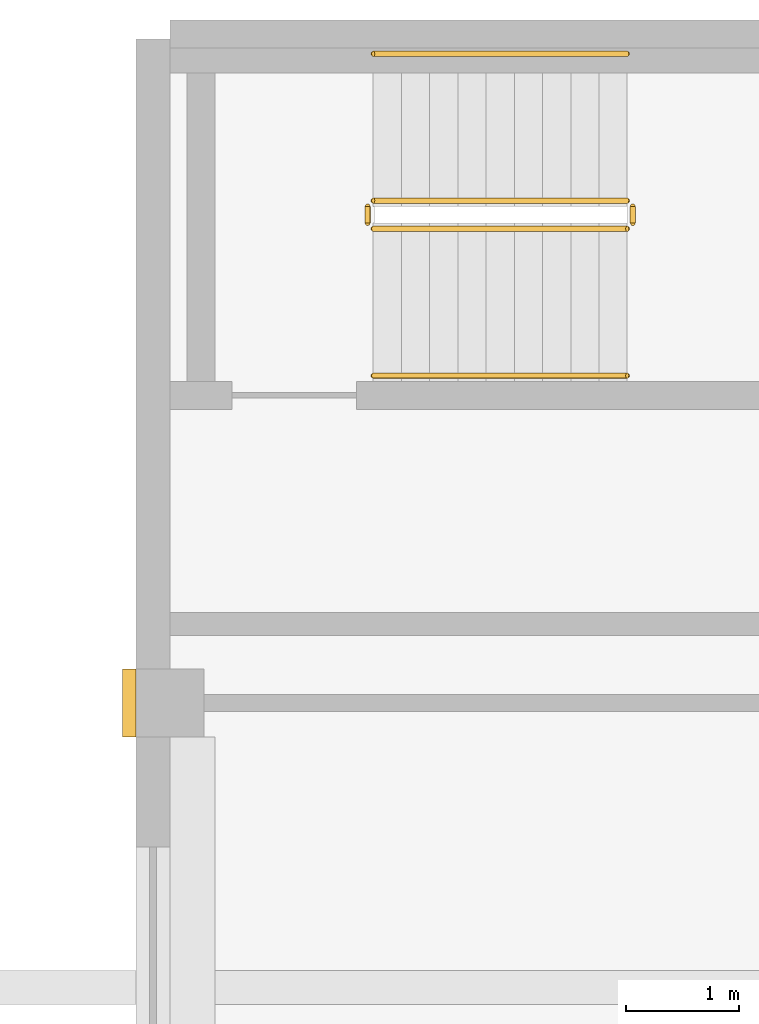
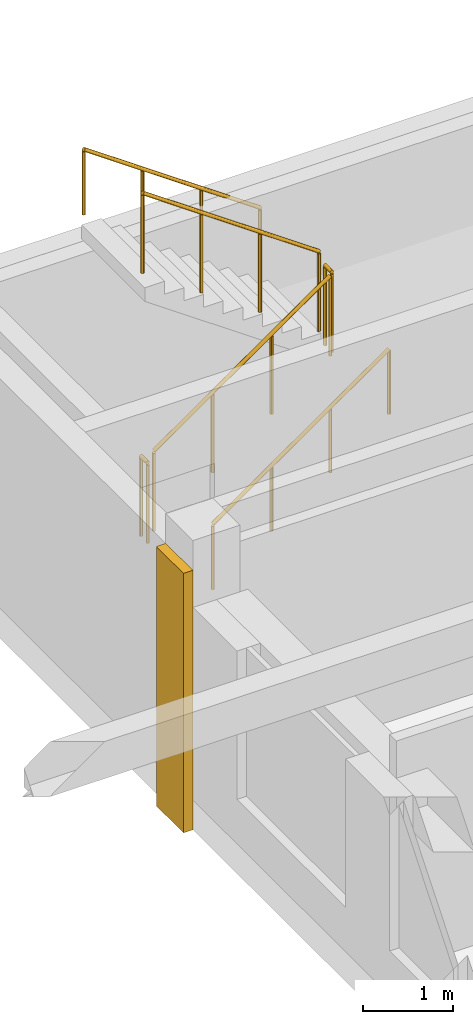
# One storey, part 8 of 8: 6 railings, 1 covering.
"""IFC4 building model written with IfcOpenShell, lengths in metres."""

from ifc_helpers import new_model, si_unit, direction, frame, origin, origin_2d, place, context, subcontext, project, spatial, rectangle, circle, extrude, source, transform, mapped, material, type_object, element, save


model = new_model("IFC4")

# Units and contexts
model_context = context("Model", 3, precision=1e-05, world=origin(), true_north=direction((0.0, 1.0)))
body_context = subcontext(model_context, "Body", "Model", "MODEL_VIEW")
ifc_project = project(units=[si_unit("LENGTHUNIT", "METRE"), si_unit("AREAUNIT", "SQUARE_METRE"), si_unit("VOLUMEUNIT", "CUBIC_METRE"), si_unit("PLANEANGLEUNIT", "RADIAN"), si_unit("MASSUNIT", "GRAM", prefix="KILO")], contexts=[model_context])

# Site, building, storey
site_placement = place(None, origin())
site = spatial("IfcSite", under=ifc_project, at=site_placement, CompositionType="ELEMENT")
building_placement = place(site_placement, origin())
building = spatial("IfcBuilding", under=site, at=building_placement, Name="Aurelian Terraces", CompositionType="ELEMENT")
storey_placement = place(building_placement, frame((0.0, 0.0, 344.0)))
storey = spatial("IfcBuildingStorey", under=building, at=storey_placement, Name="L81", CompositionType="ELEMENT", Elevation=344.0)

# Covering
ifc_material_1 = material(Name="Terracotta rainscreen cladding relief", Category="masonry")
covering_type = type_object("IfcCoveringType", Name="BAGUETTE-TC", PredefinedType="CLADDING", material=ifc_material_1)
shared_shape_1 = source(origin(), body_context, "Body", "SweptSolid", [
    extrude(rectangle(XDim=0.12, YDim=0.6, at=origin_2d()), origin(), (0.0, 0.0, 1.0), 3.5),
])
covering_placement = place(storey_placement, frame((10.44, 37.8, -0.4), z_axis=(0.0, 0.0, 1.0), x_axis=(1.0, 0.0, 0.0)))
element("IfcCovering", 1, at=covering_placement, inside=storey, type_object=covering_type, Name="BAGUETTE pier L81 5", PredefinedType="CLADDING", context=body_context, shape_type="MappedRepresentation", body=[
    mapped(shared_shape_1, transform((0.0, 0.0, 0.0), scale=1.0)),
])

# Railings
ifc_material_2 = material(Name="Stainless steel", Category="steel")
railing_type_1 = type_object("IfcRailingType", Name="Stair guard 1100", PredefinedType="GUARDRAIL", material=ifc_material_2)
shared_shape_2 = source(origin(), body_context, "Body", "SweptSolid", [
    extrude(circle(Radius=0.024, at=origin_2d()), frame((0.0, 0.0, 1.076), z_axis=(0.0, 1.0, 0.0), x_axis=(-1.0, 0.0, 0.0)), (0.0, 0.0, 1.0), 0.15),
    extrude(circle(Radius=0.021, at=origin_2d()), origin(), (0.0, 0.0, 1.0), 1.052),
    extrude(circle(Radius=0.021, at=origin_2d()), frame((0.0, 0.15, 0.0)), (0.0, 0.0, 1.0), 1.052),
])
for number, where, name in (
    (2, (14.9, 42.05, 1.75), "L81 S3U stair guard 2"),
    (3, (12.55, 42.05, 0.0), "L81 S3U stair guard 4"),
):
    element("IfcRailing", number, at=place(storey_placement, frame(where)), inside=storey, type_object=railing_type_1, Name=name, PredefinedType="GUARDRAIL", context=body_context, shape_type="MappedRepresentation", body=[
        mapped(shared_shape_2, transform((0.0, 0.0, 0.0), scale=1.0)),
    ])
shared_shape_3 = source(origin(), body_context, "Body", "SweptSolid", [
    extrude(circle(Radius=0.024, at=origin_2d()), frame((0.0, 0.0, 1.076), z_axis=(0.819231920519, 0.0, 0.573462344363), x_axis=(0.0, 1.0, 0.0)), (0.0, 0.0, 1.0), 2.7465),
    extrude(circle(Radius=0.021, at=origin_2d()), origin(), (0.0, 0.0, 1.0), 1.052),
    extrude(circle(Radius=0.021, at=origin_2d()), frame((0.75, 0.0, 0.525)), (0.0, 0.0, 1.0), 1.052),
    extrude(circle(Radius=0.021, at=origin_2d()), frame((1.5, 0.0, 1.05)), (0.0, 0.0, 1.0), 1.052),
    extrude(circle(Radius=0.021, at=origin_2d()), frame((2.25, 0.0, 1.575)), (0.0, 0.0, 1.0), 1.052),
])
railing_1_placement = place(storey_placement, frame((12.6, 42.0, 0.175)))
element("IfcRailing", 4, at=railing_1_placement, inside=storey, type_object=railing_type_1, Name="L81 S3U stair guard 1", PredefinedType="GUARDRAIL", context=body_context, shape_type="MappedRepresentation", body=[
    mapped(shared_shape_3, transform((0.0, 0.0, 0.0), scale=1.0)),
])
shared_shape_4 = source(origin(), body_context, "Body", "SweptSolid", [
    extrude(circle(Radius=0.024, at=origin_2d()), frame((0.0, 0.0, 1.076), z_axis=(-0.819231920519, 0.0, 0.573462344363), x_axis=(0.0, -1.0, 0.0)), (0.0, 0.0, 1.0), 2.7465),
    extrude(circle(Radius=0.021, at=origin_2d()), origin(), (0.0, 0.0, 1.0), 1.052),
    extrude(circle(Radius=0.021, at=origin_2d()), frame((-0.75, 0.0, 0.525)), (0.0, 0.0, 1.0), 1.052),
    extrude(circle(Radius=0.021, at=origin_2d()), frame((-1.5, 0.0, 1.05)), (0.0, 0.0, 1.0), 1.052),
    extrude(circle(Radius=0.021, at=origin_2d()), frame((-2.25, 0.0, 1.575)), (0.0, 0.0, 1.0), 1.052),
])
railing_2_placement = place(storey_placement, frame((14.85, 42.25, 1.925)))
element("IfcRailing", 5, at=railing_2_placement, inside=storey, type_object=railing_type_1, Name="L81 S3U stair guard 3", PredefinedType="GUARDRAIL", context=body_context, shape_type="MappedRepresentation", body=[
    mapped(shared_shape_4, transform((0.0, 0.0, 0.0), scale=1.0)),
])
railing_type_2 = type_object("IfcRailingType", Name="Stair handrail", PredefinedType="HANDRAIL", material=ifc_material_2)
shared_shape_5 = source(origin(), body_context, "Body", "SweptSolid", [
    extrude(circle(Radius=0.024, at=origin_2d()), frame((0.0, 0.0, 0.876), z_axis=(0.819231920519, 0.0, 0.573462344363), x_axis=(0.0, 1.0, 0.0)), (0.0, 0.0, 1.0), 2.7465),
    extrude(circle(Radius=0.021, at=origin_2d()), origin(), (0.0, 0.0, 1.0), 0.852),
    extrude(circle(Radius=0.021, at=origin_2d()), frame((0.75, 0.0, 0.525)), (0.0, 0.0, 1.0), 0.852),
    extrude(circle(Radius=0.021, at=origin_2d()), frame((1.5, 0.0, 1.05)), (0.0, 0.0, 1.0), 0.852),
    extrude(circle(Radius=0.021, at=origin_2d()), frame((2.25, 0.0, 1.575)), (0.0, 0.0, 1.0), 0.852),
])
railing_3_placement = place(storey_placement, frame((12.6, 40.7, 0.175)))
element("IfcRailing", 6, at=railing_3_placement, inside=storey, type_object=railing_type_2, Name="L81 S3U stair handrail 1", PredefinedType="HANDRAIL", context=body_context, shape_type="MappedRepresentation", body=[
    mapped(shared_shape_5, transform((0.0, 0.0, 0.0), scale=1.0)),
])
shared_shape_6 = source(origin(), body_context, "Body", "SweptSolid", [
    extrude(circle(Radius=0.024, at=origin_2d()), frame((0.0, 0.0, 0.876), z_axis=(-0.819231920519, 0.0, 0.573462344363), x_axis=(0.0, -1.0, 0.0)), (0.0, 0.0, 1.0), 2.7465),
    extrude(circle(Radius=0.021, at=origin_2d()), origin(), (0.0, 0.0, 1.0), 0.852),
    extrude(circle(Radius=0.021, at=origin_2d()), frame((-0.75, 0.0, 0.525)), (0.0, 0.0, 1.0), 0.852),
    extrude(circle(Radius=0.021, at=origin_2d()), frame((-1.5, 0.0, 1.05)), (0.0, 0.0, 1.0), 0.852),
    extrude(circle(Radius=0.021, at=origin_2d()), frame((-2.25, 0.0, 1.575)), (0.0, 0.0, 1.0), 0.852),
])
railing_4_placement = place(storey_placement, frame((14.85, 43.55, 1.925)))
element("IfcRailing", 7, at=railing_4_placement, inside=storey, type_object=railing_type_2, Name="L81 S3U stair handrail 2", PredefinedType="HANDRAIL", context=body_context, shape_type="MappedRepresentation", body=[
    mapped(shared_shape_6, transform((0.0, 0.0, 0.0), scale=1.0)),
])

save(model, "model.ifc")
